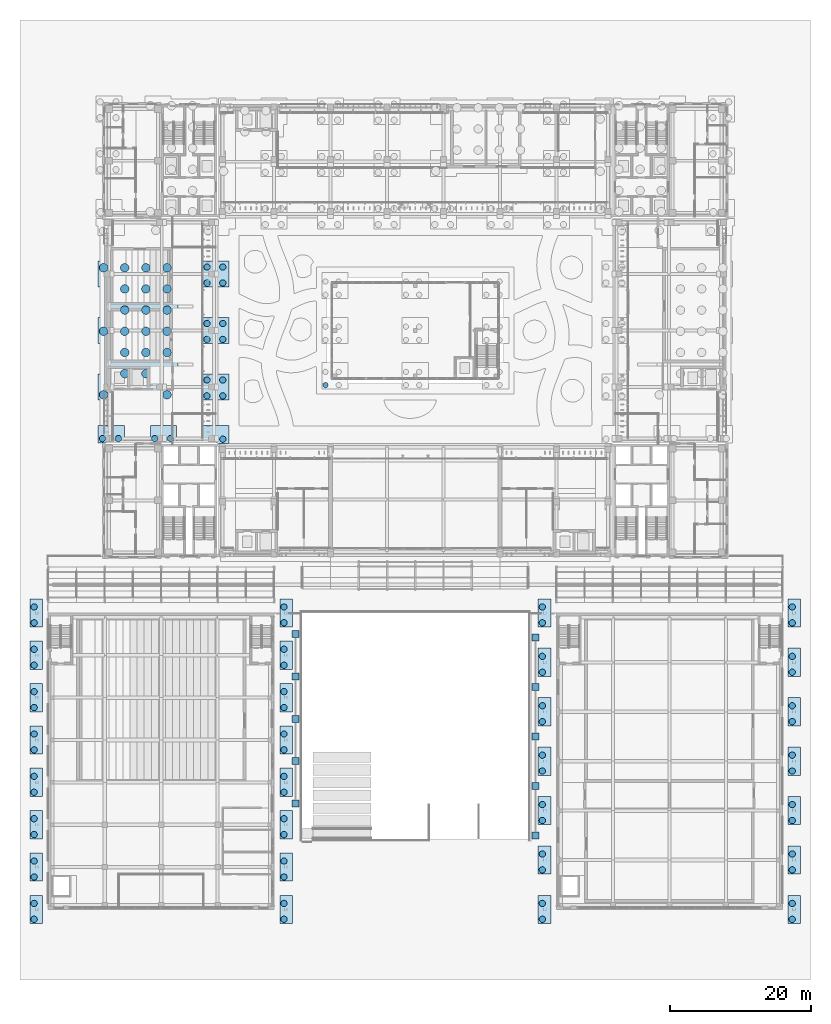
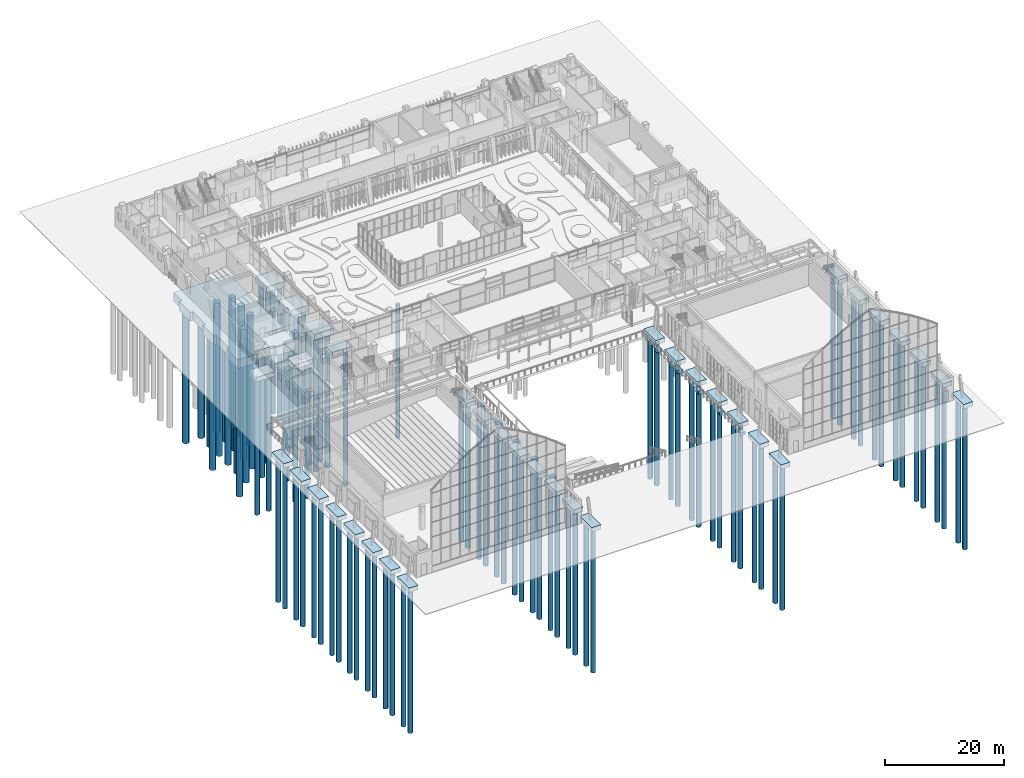
# One storey, part 1 of 144: 99 piles, 47 footings.
"""IFC4 building model written with IfcOpenShell, lengths in metres."""

import ifcopenshell
import ifcopenshell.guid

model = None  # the IFC model being written
_history = None  # IfcOwnerHistory: only IFC2X3 demands one
_inside = {}  # id of a spatial element -> (the spatial element, [elements in it])
_under = {}  # id of a project, library or spatial element -> (it, [spatial elements below it])
_declared = {}  # id of a project -> (the project, [libraries it declares])
_typed = {}  # id of a type object -> (the type object, [elements of that type])
_made_of = {}  # id of a material, layer set ... -> (it, [elements and type objects made of it])


def new_model(schema):
    """Start an empty IFC model of exactly this schema.

    Asked for "IFC4X3", IfcOpenShell would pick the latest addendum, in which some entities
    have other attributes; the version numbers below select the first issue.
    IFC2X3 requires an IfcOwnerHistory on every rooted entity: one is made here for all.
    """
    global model, _history
    if schema == "IFC4X3":
        model = ifcopenshell.file(schema_version=(4, 3, 0, 0))
    else:
        model = ifcopenshell.file(schema=schema)
    _inside.clear()
    _under.clear()
    _declared.clear()
    _typed.clear()
    _made_of.clear()
    _history = None
    if model.schema == "IFC2X3":
        org = make("IfcOrganization", Name="unknown")
        user = make(
            "IfcPersonAndOrganization",
            ThePerson=make("IfcPerson", FamilyName="unknown"),
            TheOrganization=org,
        )
        app = make(
            "IfcApplication",
            ApplicationDeveloper=org,
            Version="unknown",
            ApplicationFullName="unknown",
            ApplicationIdentifier="unknown",
        )
        _history = make(
            "IfcOwnerHistory",
            OwningUser=user,
            OwningApplication=app,
            ChangeAction="ADDED",
            CreationDate=0,
        )
    return model


def make(cls, **values):
    """One entity of the class cls with the attributes given. An attribute that is None is left unset."""
    return model.create_entity(
        cls, **{name: value for name, value in values.items() if value is not None}
    )


def rooted(cls, **values):
    """An entity with a GlobalId (a new one), such as an element, a storey or a relation."""
    return make(cls, GlobalId=ifcopenshell.guid.new(), OwnerHistory=_history, **values)


def si_unit(unit_type, name, prefix=None):
    """IfcSIUnit, for example si_unit("LENGTHUNIT", "METRE", prefix="MILLI")."""
    return make("IfcSIUnit", UnitType=unit_type, Prefix=prefix, Name=name)


def assignment(units):
    """IfcUnitAssignment: the units of a project."""
    return None if units is None else make("IfcUnitAssignment", Units=units)


def point(xyz):
    """IfcCartesianPoint."""
    return None if xyz is None else make("IfcCartesianPoint", Coordinates=xyz)


def direction(xyz):
    """IfcDirection."""
    return None if xyz is None else make("IfcDirection", DirectionRatios=xyz)


def frame(location, z_axis=None, x_axis=None):
    """IfcAxis2Placement3D, a coordinate frame: its origin and axes. An axis left out is left unset."""
    return make(
        "IfcAxis2Placement3D",
        Location=point(location),
        Axis=direction(z_axis),
        RefDirection=direction(x_axis),
    )


def frame_2d(location, x_axis=None):
    """IfcAxis2Placement2D, a coordinate frame in the plane: its origin and x axis."""
    return make(
        "IfcAxis2Placement2D", Location=point(location), RefDirection=direction(x_axis)
    )


def origin():
    """The frame at (0, 0, 0) with its axes left unset."""
    return frame((0.0, 0.0, 0.0))


def origin_2d():
    """The frame at (0, 0) in the plane with its x axis left unset."""
    return frame_2d((0.0, 0.0))


def place(relative_to, where):
    """IfcLocalPlacement: puts the frame where relative to a parent placement (None: the world)."""
    return make(
        "IfcLocalPlacement", PlacementRelTo=relative_to, RelativePlacement=where
    )


def context(
    kind, dimensions, precision=None, world=None, true_north=None, identifier=None
):
    """IfcGeometricRepresentationContext, for example the 3D "Model" context."""
    return make(
        "IfcGeometricRepresentationContext",
        ContextIdentifier=identifier,
        ContextType=kind,
        CoordinateSpaceDimension=dimensions,
        Precision=precision,
        WorldCoordinateSystem=world,
        TrueNorth=true_north,
    )


def subcontext(parent, identifier, kind, view, scale=None):
    """IfcGeometricRepresentationSubContext, for example "Body" below "Model"."""
    return make(
        "IfcGeometricRepresentationSubContext",
        ContextIdentifier=identifier,
        ContextType=kind,
        ParentContext=parent,
        TargetScale=scale,
        TargetView=view,
    )


def project(units=None, contexts=None):
    """IfcProject with its units and contexts."""
    return rooted(
        "IfcProject",
        Name="project",
        RepresentationContexts=contexts,
        UnitsInContext=assignment(units),
    )


def spatial(cls, under=None, at=None, **own):
    """A site, building, storey or space (cls), placed at a placement, below another one or the project."""
    s = rooted(cls, ObjectPlacement=at, **own)
    if under is not None:
        _under.setdefault(under.id(), (under, []))[1].append(s)
    return s


def polyline(points):
    """IfcPolyline through the points."""
    return make("IfcPolyline", Points=[point(p) for p in points])


def profile(cls, at=None, kind="AREA", **sizes):
    """A parametric profile (cls). Its sizes go by their IFC names, for example OverallWidth=200.0."""
    return make(cls, ProfileType=kind, Position=at, **sizes)


def rectangle(**sizes):
    """IfcRectangleProfileDef."""
    return profile("IfcRectangleProfileDef", **sizes)


def circle(**sizes):
    """IfcCircleProfileDef."""
    return profile("IfcCircleProfileDef", **sizes)


def outline(outer, holes=None, kind="AREA"):
    """IfcArbitraryClosedProfileDef: a profile drawn as a closed curve; with holes, ...WithVoids."""
    if holes is None:
        return make("IfcArbitraryClosedProfileDef", ProfileType=kind, OuterCurve=outer)
    return make(
        "IfcArbitraryProfileDefWithVoids",
        ProfileType=kind,
        OuterCurve=outer,
        InnerCurves=holes,
    )


def extrude(swept, where, along, depth):
    """IfcExtrudedAreaSolid: the profile swept, set in the frame where, extruded along a direction by depth."""
    return make(
        "IfcExtrudedAreaSolid",
        SweptArea=swept,
        Position=where,
        ExtrudedDirection=direction(along),
        Depth=depth,
    )


def shape(context_of_items, identifier, shape_type, items):
    """IfcShapeRepresentation: the items that make up one representation, for example the "Body"."""
    return make(
        "IfcShapeRepresentation",
        ContextOfItems=context_of_items,
        RepresentationIdentifier=identifier,
        RepresentationType=shape_type,
        Items=items,
    )


def material(Name=None, Category=None):
    """IfcMaterial."""
    return make("IfcMaterial", Name=Name, Category=Category)


def material_profile(
    of_material, cross_section, Name=None, Category=None, Priority=None
):
    """IfcMaterialProfile: a cross section and its material."""
    return make(
        "IfcMaterialProfile",
        Name=Name,
        Material=of_material,
        Profile=cross_section,
        Priority=Priority,
        Category=Category,
    )


def profile_set(profiles, Name=None, composite=None):
    """IfcMaterialProfileSet."""
    return make(
        "IfcMaterialProfileSet",
        Name=Name,
        MaterialProfiles=profiles,
        CompositeProfile=composite,
    )


def made_of(thing, what):
    """Note that an element or type object is made of a material, layer set ...; save() writes the relation."""
    if what is not None:
        _made_of.setdefault(what.id(), (what, []))[1].append(thing)
    return thing


def type_object(cls, material=None, **own):
    """A type object (cls), such as IfcWallType, which elements share."""
    return made_of(rooted(cls, **own), material)


def element(
    cls,
    number,
    at=None,
    inside=None,
    cuts=None,
    type_object=None,
    material=None,
    context=None,
    identifier="Body",
    shape_type=None,
    held_by="IfcProductDefinitionShape",
    body=None,
    shapes=None,
    **own,
):
    """One element of the class cls, such as IfcWall. Its Tag is "e" and its number.

    at: its placement. inside: the storey or other place that contains it. cuts: it is an
    opening in that element (IfcRelVoidsElement). A single representation is given by context,
    identifier, shape_type and body (its items); several are given by shapes. held_by: the class
    of the entity that holds the representations. save() writes the other relations.
    """
    e = rooted(cls, Tag="e%d" % number, ObjectPlacement=at, **own)
    if body is not None:
        shapes = [shape(context, identifier, shape_type, body)]
    if shapes is not None:
        e.Representation = make(held_by, Representations=shapes)
    if inside is not None:
        _inside.setdefault(inside.id(), (inside, []))[1].append(e)
    if cuts is not None:
        rooted(
            "IfcRelVoidsElement", RelatingBuildingElement=cuts, RelatedOpeningElement=e
        )
    if type_object is not None:
        _typed.setdefault(type_object.id(), (type_object, []))[1].append(e)
    return made_of(e, material)


def aggregate(whole, parts):
    """IfcRelAggregates: a whole, such as a stair, and the parts it consists of."""
    return rooted("IfcRelAggregates", RelatingObject=whole, RelatedObjects=parts)


def save(model, path):
    """Write the relations noted so far, then the file.

    IfcRelAggregates (storeys below a building ...), IfcRelContainedInSpatialStructure (elements
    in a storey), IfcRelDefinesByType, IfcRelAssociatesMaterial and IfcRelDeclares: one each for
    every whole, place, type object, material and project.
    """
    for whole, parts in _under.values():
        aggregate(whole, parts)
    for where, things in _inside.values():
        rooted(
            "IfcRelContainedInSpatialStructure",
            RelatedElements=things,
            RelatingStructure=where,
        )
    for kind, things in _typed.values():
        rooted("IfcRelDefinesByType", RelatedObjects=things, RelatingType=kind)
    for what, things in _made_of.values():
        rooted("IfcRelAssociatesMaterial", RelatedObjects=things, RelatingMaterial=what)
    for by, libraries in _declared.values():
        rooted("IfcRelDeclares", RelatingContext=by, RelatedDefinitions=libraries)
    model.write(path)


model = new_model("IFC4")

# Units and contexts
model_context = context("Model", 3, precision=1e-05, world=origin(), true_north=direction((0.0, 1.0)))
body_context = subcontext(model_context, "Body", "Model", "MODEL_VIEW")
ifc_project = project(units=[si_unit("LENGTHUNIT", "METRE"), si_unit("AREAUNIT", "SQUARE_METRE"), si_unit("VOLUMEUNIT", "CUBIC_METRE"), si_unit("PLANEANGLEUNIT", "RADIAN"), si_unit("MASSUNIT", "GRAM", prefix="KILO")], contexts=[model_context])

# Site, building, storey
site_placement = place(None, origin())
site = spatial("IfcSite", under=ifc_project, at=site_placement, CompositionType="ELEMENT")
building_placement = place(site_placement, origin())
building = spatial("IfcBuilding", under=site, at=building_placement, Name="Lantern Court Media Centre", CompositionType="ELEMENT")
storey_placement = place(building_placement, origin())
storey = spatial("IfcBuildingStorey", under=building, at=storey_placement, Name="L00", CompositionType="ELEMENT", Elevation=0.0)

# Piles
ifc_material = material(Name="Concrete C30", Category="concrete")
ifc_material_profile_1 = material_profile(ifc_material, circle(Radius=0.60009765625, at=origin_2d()), Name="D1200")
ifc_profile_set_1 = profile_set([ifc_material_profile_1], Name="Concrete C30")
pile_type_1 = type_object("IfcPileType", Name="BORED PILE D1200", PredefinedType="BORED", material=ifc_profile_set_1)
for number, where, z_axis, x_axis, name in (
    (1, (7.833251953125, 70.89990234375, -3.25), (0.0, 0.0, -1.0), (1.0, 0.0, 0.0), "PL-008-000"),
    (2, (7.833251953125, 79.89990234375, -3.25), (0.0, 0.0, -1.0), (1.0, 0.0, 0.0), "PL-008-001"),
    (3, (7.833251953125, 88.89990234375, -3.25), (0.0, 0.0, -1.0), (1.0, 0.0, 0.0), "PL-008-002"),
    (4, (10.833251953125, 73.89990234375, -3.25), (0.0, 0.0, -1.0), (1.0, 0.0, 0.0), "PL-008-003"),
    (5, (10.833251953125, 76.89990234375, -3.25), (0.0, 0.0, -1.0), (1.0, 0.0, 0.0), "PL-008-004"),
    (6, (10.833251953125, 79.89990234375, -3.25), (0.0, 0.0, -1.0), (1.0, 0.0, 0.0), "PL-008-005"),
    (7, (10.833251953125, 82.89990234375, -3.25), (0.0, 0.0, -1.0), (1.0, 0.0, 0.0), "PL-008-006"),
    (8, (10.833251953125, 85.89990234375, -3.25), (0.0, 0.0, -1.0), (1.0, 0.0, 0.0), "PL-008-007"),
    (9, (10.833251953125, 88.89990234375, -3.25), (0.0, 0.0, -1.0), (1.0, 0.0, 0.0), "PL-008-008"),
    (10, (13.833251953125, 73.89990234375, -3.25), (0.0, 0.0, -1.0), (1.0, 0.0, 0.0), "PL-008-009"),
    (11, (13.833251953125, 76.89990234375, -3.25), (0.0, 0.0, -1.0), (1.0, 0.0, 0.0), "PL-008-010"),
    (12, (13.833251953125, 79.89990234375, -3.25), (0.0, 0.0, -1.0), (1.0, 0.0, 0.0), "PL-008-011"),
    (13, (13.833251953125, 82.89990234375, -3.25), (0.0, 0.0, -1.0), (1.0, 0.0, 0.0), "PL-008-012"),
    (14, (13.833251953125, 85.89990234375, -3.25), (0.0, 0.0, -1.0), (1.0, 0.0, 0.0), "PL-008-013"),
    (15, (13.833251953125, 88.89990234375, -3.25), (0.0, 0.0, -1.0), (1.0, 0.0, 0.0), "PL-008-014"),
    (16, (16.833251953125, 70.89990234375, -3.25), (0.0, 0.0, -1.0), (1.0, 0.0, 0.0), "PL-008-015"),
    (17, (16.833251953125, 76.89990234375, -3.25), (0.0, 0.0, -1.0), (1.0, 0.0, 0.0), "PL-008-016"),
    (18, (16.833251953125, 79.89990234375, -3.25), (0.0, 0.0, -1.0), (1.0, 0.0, 0.0), "PL-008-017"),
    (19, (16.833251953125, 82.89990234375, -3.25), (0.0, 0.0, -1.0), (1.0, 0.0, 0.0), "PL-008-018"),
    (20, (16.833251953125, 85.89990234375, -3.25), (0.0, 0.0, -1.0), (1.0, 0.0, 0.0), "PL-008-019"),
    (21, (16.833251953125, 88.89990234375, -3.25), (0.0, 0.0, -1.0), (1.0, 0.0, 0.0), "PL-008-020"),
):
    element("IfcPile", number, at=place(storey_placement, frame(where, z_axis=z_axis, x_axis=x_axis)), inside=storey, type_object=pile_type_1, Name=name, PredefinedType="BORED", context=body_context, shape_type="SweptSolid", body=[
        extrude(circle(Radius=0.60009765625, at=origin_2d()), origin(), (0.0, 0.0, 1.0), 26.75),
    ])
ifc_material_profile_2 = material_profile(ifc_material, circle(Radius=0.375, at=origin_2d()), Name="D750")
ifc_profile_set_2 = profile_set([ifc_material_profile_2], Name="Concrete C30")
pile_type_2 = type_object("IfcPileType", Name="BORED PILE D750", PredefinedType="BORED", material=ifc_profile_set_2)
pile_1_placement = place(storey_placement, frame((39.27490234375, 72.27490234375, -2.64990234375), z_axis=(0.0, 0.0, -1.0), x_axis=(1.0, 0.0, 0.0)))
element("IfcPile", 22, at=pile_1_placement, inside=storey, type_object=pile_type_2, Name="PL-012-000", PredefinedType="BORED", context=body_context, shape_type="SweptSolid", body=[
    extrude(circle(Radius=0.375, at=origin_2d()), origin(), (0.0, 0.0, 1.0), 27.35009765625),
])
ifc_material_profile_3 = material_profile(ifc_material, circle(Radius=0.449951171875, at=origin_2d()), Name="D900")
ifc_profile_set_3 = profile_set([ifc_material_profile_3], Name="Concrete C30")
pile_type_3 = type_object("IfcPileType", Name="BORED PILE D900", PredefinedType="BORED", material=ifc_profile_set_3)
pile_2_placement = place(storey_placement, frame((24.7333984375, 64.6201171875, -2.25), z_axis=(0.0, 0.0, -1.0), x_axis=(1.0, 0.0, 0.0)))
element("IfcPile", 23, at=pile_2_placement, inside=storey, type_object=pile_type_3, Name="PL-002-000", PredefinedType="BORED", context=body_context, shape_type="SweptSolid", body=[
    extrude(circle(Radius=0.449951171875, at=origin_2d()), origin(), (0.0, 0.0, 1.0), 27.75),
])
for number, where, z_axis, x_axis, name in (
    (24, (7.683349609375, 64.699951171875, -2.35009765625), (0.0, 0.0, -1.0), (1.0, 0.0, 0.0), "PL-004-000"),
    (25, (9.933349609375, 64.699951171875, -2.35009765625), (0.0, 0.0, -1.0), (1.0, 0.0, 0.0), "PL-004-001"),
    (26, (15.083251953125, 64.699951171875, -2.35009765625), (0.0, 0.0, -1.0), (1.0, 0.0, 0.0), "PL-005-000"),
    (27, (17.333251953125, 64.699951171875, -2.35009765625), (0.0, 0.0, -1.0), (1.0, 0.0, 0.0), "PL-005-001"),
):
    element("IfcPile", number, at=place(storey_placement, frame(where, z_axis=z_axis, x_axis=x_axis)), inside=storey, type_object=pile_type_3, Name=name, PredefinedType="BORED", context=body_context, shape_type="SweptSolid", body=[
        extrude(circle(Radius=0.449951171875, at=origin_2d()), origin(), (0.0, 0.0, 1.0), 27.64990234375),
    ])
for number, where, z_axis, x_axis, name in (
    (28, (22.4833984375, 70.75, -2.64990234375), (0.0, 0.0, -1.0), (1.0, 0.0, 0.0), "PL-009-000"),
    (29, (22.4833984375, 73.0, -2.64990234375), (0.0, 0.0, -1.0), (1.0, 0.0, 0.0), "PL-009-001"),
    (30, (24.7333984375, 70.75, -2.64990234375), (0.0, 0.0, -1.0), (1.0, 0.0, 0.0), "PL-009-002"),
    (31, (24.7333984375, 73.0, -2.64990234375), (0.0, 0.0, -1.0), (1.0, 0.0, 0.0), "PL-009-003"),
    (32, (22.4833984375, 78.75, -2.64990234375), (0.0, 0.0, -1.0), (1.0, 0.0, 0.0), "PL-015-000"),
    (33, (22.4833984375, 81.0, -2.64990234375), (0.0, 0.0, -1.0), (1.0, 0.0, 0.0), "PL-015-001"),
    (34, (24.7333984375, 78.75, -2.64990234375), (0.0, 0.0, -1.0), (1.0, 0.0, 0.0), "PL-015-002"),
    (35, (24.7333984375, 81.0, -2.64990234375), (0.0, 0.0, -1.0), (1.0, 0.0, 0.0), "PL-015-003"),
    (36, (22.4833984375, 86.75, -2.64990234375), (0.0, 0.0, -1.0), (1.0, 0.0, 0.0), "PL-023-000"),
    (37, (22.4833984375, 89.0, -2.64990234375), (0.0, 0.0, -1.0), (1.0, 0.0, 0.0), "PL-023-001"),
    (38, (24.7333984375, 86.75, -2.64990234375), (0.0, 0.0, -1.0), (1.0, 0.0, 0.0), "PL-023-002"),
    (39, (24.7333984375, 89.0, -2.64990234375), (0.0, 0.0, -1.0), (1.0, 0.0, 0.0), "PL-023-003"),
):
    element("IfcPile", number, at=place(storey_placement, frame(where, z_axis=z_axis, x_axis=x_axis)), inside=storey, type_object=pile_type_3, Name=name, PredefinedType="BORED", context=body_context, shape_type="SweptSolid", body=[
        extrude(circle(Radius=0.449951171875, at=origin_2d()), origin(), (0.0, 0.0, 1.0), 27.35009765625),
    ])
for number, where, z_axis, x_axis, name in (
    (40, (-2.0, -3.39990234375, -0.75), (0.0, 0.0, -1.0), (1.0, 0.0, 0.0), "PLB-000-000"),
    (41, (-2.0, -1.14990234375, -0.75), (0.0, 0.0, -1.0), (1.0, 0.0, 0.0), "PLB-000-001"),
    (42, (33.39990234375, -3.39990234375, -0.75), (0.0, 0.0, -1.0), (1.0, 0.0, 0.0), "PLB-001-000"),
    (43, (33.39990234375, -1.14990234375, -0.75), (0.0, 0.0, -1.0), (1.0, 0.0, 0.0), "PLB-001-001"),
    (44, (-2.0, 2.60009765625, -0.75), (0.0, 0.0, -1.0), (1.0, 0.0, 0.0), "PLB-002-000"),
    (45, (-2.0, 4.85009765625, -0.75), (0.0, 0.0, -1.0), (1.0, 0.0, 0.0), "PLB-002-001"),
    (46, (33.39990234375, 2.60009765625, -0.75), (0.0, 0.0, -1.0), (1.0, 0.0, 0.0), "PLB-003-000"),
    (47, (33.39990234375, 4.85009765625, -0.75), (0.0, 0.0, -1.0), (1.0, 0.0, 0.0), "PLB-003-001"),
    (48, (-2.0, 8.60009765625, -0.75), (0.0, 0.0, -1.0), (1.0, 0.0, 0.0), "PLB-004-000"),
    (49, (-2.0, 10.85009765625, -0.75), (0.0, 0.0, -1.0), (1.0, 0.0, 0.0), "PLB-004-001"),
    (50, (33.39990234375, 8.60009765625, -0.75), (0.0, 0.0, -1.0), (1.0, 0.0, 0.0), "PLB-005-000"),
    (51, (33.39990234375, 10.85009765625, -0.75), (0.0, 0.0, -1.0), (1.0, 0.0, 0.0), "PLB-005-001"),
    (52, (-2.0, 14.60009765625, -0.75), (0.0, 0.0, -1.0), (1.0, 0.0, 0.0), "PLB-006-000"),
    (53, (-2.0, 16.85009765625, -0.75), (0.0, 0.0, -1.0), (1.0, 0.0, 0.0), "PLB-006-001"),
    (54, (33.39990234375, 14.60009765625, -0.75), (0.0, 0.0, -1.0), (1.0, 0.0, 0.0), "PLB-007-000"),
    (55, (33.39990234375, 16.85009765625, -0.75), (0.0, 0.0, -1.0), (1.0, 0.0, 0.0), "PLB-007-001"),
    (56, (-2.0, 20.60009765625, -0.75), (0.0, 0.0, -1.0), (1.0, 0.0, 0.0), "PLB-008-000"),
    (57, (-2.0, 22.85009765625, -0.75), (0.0, 0.0, -1.0), (1.0, 0.0, 0.0), "PLB-008-001"),
    (58, (33.39990234375, 20.60009765625, -0.75), (0.0, 0.0, -1.0), (1.0, 0.0, 0.0), "PLB-009-000"),
    (59, (33.39990234375, 22.85009765625, -0.75), (0.0, 0.0, -1.0), (1.0, 0.0, 0.0), "PLB-009-001"),
    (60, (-2.0, 26.60009765625, -0.75), (0.0, 0.0, -1.0), (1.0, 0.0, 0.0), "PLB-010-000"),
    (61, (-2.0, 28.85009765625, -0.75), (0.0, 0.0, -1.0), (1.0, 0.0, 0.0), "PLB-010-001"),
    (62, (33.39990234375, 26.60009765625, -0.75), (0.0, 0.0, -1.0), (1.0, 0.0, 0.0), "PLB-011-000"),
    (63, (33.39990234375, 28.85009765625, -0.75), (0.0, 0.0, -1.0), (1.0, 0.0, 0.0), "PLB-011-001"),
    (64, (-2.0, 32.60009765625, -0.75), (0.0, 0.0, -1.0), (1.0, 0.0, 0.0), "PLB-012-000"),
    (65, (-2.0, 34.85009765625, -0.75), (0.0, 0.0, -1.0), (1.0, 0.0, 0.0), "PLB-012-001"),
    (66, (33.39990234375, 32.60009765625, -0.75), (0.0, 0.0, -1.0), (1.0, 0.0, 0.0), "PLB-013-000"),
    (67, (33.39990234375, 34.85009765625, -0.75), (0.0, 0.0, -1.0), (1.0, 0.0, 0.0), "PLB-013-001"),
    (68, (-2.0, 38.60009765625, -0.75), (0.0, 0.0, -1.0), (1.0, 0.0, 0.0), "PLB-014-000"),
    (69, (-2.0, 40.85009765625, -0.75), (0.0, 0.0, -1.0), (1.0, 0.0, 0.0), "PLB-014-001"),
    (70, (33.39990234375, 38.60009765625, -0.75), (0.0, 0.0, -1.0), (1.0, 0.0, 0.0), "PLB-015-000"),
    (71, (33.39990234375, 40.85009765625, -0.75), (0.0, 0.0, -1.0), (1.0, 0.0, 0.0), "PLB-015-001"),
    (72, (70.0, -3.39990234375, -0.75), (0.0, 0.0, -1.0), (1.0, 0.0, 0.0), "PLB-016-000"),
    (73, (70.0, -1.14990234375, -0.75), (0.0, 0.0, -1.0), (1.0, 0.0, 0.0), "PLB-016-001"),
    (74, (105.39990234375, -3.39990234375, -0.75), (0.0, 0.0, -1.0), (1.0, 0.0, 0.0), "PLB-017-000"),
    (75, (105.39990234375, -1.14990234375, -0.75), (0.0, 0.0, -1.0), (1.0, 0.0, 0.0), "PLB-017-001"),
    (76, (70.0, 3.60009765625, -0.75), (0.0, 0.0, -1.0), (1.0, 0.0, 0.0), "PLB-018-000"),
    (77, (70.0, 5.85009765625, -0.75), (0.0, 0.0, -1.0), (1.0, 0.0, 0.0), "PLB-018-001"),
    (78, (105.39990234375, 3.60009765625, -0.75), (0.0, 0.0, -1.0), (1.0, 0.0, 0.0), "PLB-019-000"),
    (79, (105.39990234375, 5.85009765625, -0.75), (0.0, 0.0, -1.0), (1.0, 0.0, 0.0), "PLB-019-001"),
    (80, (70.0, 10.60009765625, -0.75), (0.0, 0.0, -1.0), (1.0, 0.0, 0.0), "PLB-020-000"),
    (81, (70.0, 12.85009765625, -0.75), (0.0, 0.0, -1.0), (1.0, 0.0, 0.0), "PLB-020-001"),
    (82, (105.39990234375, 10.60009765625, -0.75), (0.0, 0.0, -1.0), (1.0, 0.0, 0.0), "PLB-021-000"),
    (83, (105.39990234375, 12.85009765625, -0.75), (0.0, 0.0, -1.0), (1.0, 0.0, 0.0), "PLB-021-001"),
    (84, (70.0, 17.60009765625, -0.75), (0.0, 0.0, -1.0), (1.0, 0.0, 0.0), "PLB-022-000"),
    (85, (70.0, 19.85009765625, -0.75), (0.0, 0.0, -1.0), (1.0, 0.0, 0.0), "PLB-022-001"),
    (86, (105.39990234375, 17.60009765625, -0.75), (0.0, 0.0, -1.0), (1.0, 0.0, 0.0), "PLB-023-000"),
    (87, (105.39990234375, 19.85009765625, -0.75), (0.0, 0.0, -1.0), (1.0, 0.0, 0.0), "PLB-023-001"),
    (88, (70.0, 24.60009765625, -0.75), (0.0, 0.0, -1.0), (1.0, 0.0, 0.0), "PLB-024-000"),
    (89, (70.0, 26.85009765625, -0.75), (0.0, 0.0, -1.0), (1.0, 0.0, 0.0), "PLB-024-001"),
    (90, (105.39990234375, 24.60009765625, -0.75), (0.0, 0.0, -1.0), (1.0, 0.0, 0.0), "PLB-025-000"),
    (91, (105.39990234375, 26.85009765625, -0.75), (0.0, 0.0, -1.0), (1.0, 0.0, 0.0), "PLB-025-001"),
    (92, (70.0, 31.60009765625, -0.75), (0.0, 0.0, -1.0), (1.0, 0.0, 0.0), "PLB-026-000"),
    (93, (70.0, 33.85009765625, -0.75), (0.0, 0.0, -1.0), (1.0, 0.0, 0.0), "PLB-026-001"),
    (94, (105.39990234375, 31.60009765625, -0.75), (0.0, 0.0, -1.0), (1.0, 0.0, 0.0), "PLB-027-000"),
    (95, (105.39990234375, 33.85009765625, -0.75), (0.0, 0.0, -1.0), (1.0, 0.0, 0.0), "PLB-027-001"),
    (96, (70.0, 38.60009765625, -0.75), (0.0, 0.0, -1.0), (1.0, 0.0, 0.0), "PLB-028-000"),
    (97, (70.0, 40.85009765625, -0.75), (0.0, 0.0, -1.0), (1.0, 0.0, 0.0), "PLB-028-001"),
    (98, (105.39990234375, 38.60009765625, -0.75), (0.0, 0.0, -1.0), (1.0, 0.0, 0.0), "PLB-029-000"),
    (99, (105.39990234375, 40.85009765625, -0.75), (0.0, 0.0, -1.0), (1.0, 0.0, 0.0), "PLB-029-001"),
):
    element("IfcPile", number, at=place(storey_placement, frame(where, z_axis=z_axis, x_axis=x_axis)), inside=storey, type_object=pile_type_3, Name=name, PredefinedType="BORED", context=body_context, shape_type="SweptSolid", body=[
        extrude(circle(Radius=0.449951171875, at=origin_2d()), origin(), (0.0, 0.0, 1.0), 29.25),
    ])

# Footings
footing_type_1 = type_object("IfcFootingType", Name="Colonnade post pad footing 1000x1000x600", PredefinedType="PAD_FOOTING", material=ifc_material)
for number, where, z_axis, x_axis, name in (
    (100, (35.0, 13.0, -1.02001953125), (0.0, 0.0, 1.0), (1.0, 0.0, 0.0), "Colonnade post pad 31"),
    (101, (35.0, 19.0, -1.02001953125), (0.0, 0.0, 1.0), (1.0, 0.0, 0.0), "Colonnade post pad 32"),
    (102, (35.0, 25.0, -1.02001953125), (0.0, 0.0, 1.0), (1.0, 0.0, 0.0), "Colonnade post pad 33"),
    (103, (35.0, 31.0, -1.02001953125), (0.0, 0.0, 1.0), (1.0, 0.0, 0.0), "Colonnade post pad 34"),
    (104, (35.0, 37.0, -1.02001953125), (0.0, 0.0, 1.0), (1.0, 0.0, 0.0), "Colonnade post pad 35"),
    (105, (69.0, 8.5, -1.02001953125), (0.0, 0.0, 1.0), (1.0, 0.0, 0.0), "Colonnade post pad 36"),
    (106, (69.0, 15.5, -1.02001953125), (0.0, 0.0, 1.0), (1.0, 0.0, 0.0), "Colonnade post pad 37"),
    (107, (69.0, 22.5, -1.02001953125), (0.0, 0.0, 1.0), (1.0, 0.0, 0.0), "Colonnade post pad 38"),
    (108, (69.0, 29.5, -1.02001953125), (0.0, 0.0, 1.0), (1.0, 0.0, 0.0), "Colonnade post pad 39"),
    (109, (69.0, 36.5, -1.02001953125), (0.0, 0.0, 1.0), (1.0, 0.0, 0.0), "Colonnade post pad 40"),
):
    element("IfcFooting", number, at=place(storey_placement, frame(where, z_axis=z_axis, x_axis=x_axis)), inside=storey, type_object=footing_type_1, Name=name, PredefinedType="PAD_FOOTING", context=body_context, shape_type="SweptSolid", body=[
        extrude(rectangle(XDim=1.0, YDim=1.0, at=origin_2d()), origin(), (0.0, 0.0, 1.0), 0.60009765625),
    ])
footing_type_2 = type_object("IfcFootingType", Name="PILE CAP 1200", PredefinedType="PILE_CAP", material=ifc_material)
footing_1_placement = place(storey_placement, frame((0.0, 0.0, -2.800048828125)))
element("IfcFooting", 110, at=footing_1_placement, inside=storey, type_object=footing_type_2, Name="PC-009", PredefinedType="PILE_CAP", context=body_context, shape_type="SweptSolid", body=[
    extrude(outline(polyline([(25.583251953125, 70.14990234375), (21.88330078125, 70.14990234375), (21.88330078125, 73.85009765625), (25.583251953125, 73.85009765625), (25.583251953125, 70.14990234375)])), origin(), (0.0, 0.0, 1.0), 1.199951171875),
])
footing_2_placement = place(storey_placement, frame((0.0, 0.0, -2.800048828125)))
element("IfcFooting", 111, at=footing_2_placement, inside=storey, type_object=footing_type_2, Name="PC-015", PredefinedType="PILE_CAP", context=body_context, shape_type="SweptSolid", body=[
    extrude(outline(polyline([(25.583251953125, 78.14990234375), (21.88330078125, 78.14990234375), (21.88330078125, 81.85009765625), (25.583251953125, 81.85009765625), (25.583251953125, 78.14990234375)])), origin(), (0.0, 0.0, 1.0), 1.199951171875),
])
footing_3_placement = place(storey_placement, frame((0.0, 0.0, -2.800048828125)))
element("IfcFooting", 112, at=footing_3_placement, inside=storey, type_object=footing_type_2, Name="PC-023", PredefinedType="PILE_CAP", context=body_context, shape_type="SweptSolid", body=[
    extrude(outline(polyline([(25.583251953125, 86.14990234375), (21.88330078125, 86.14990234375), (21.88330078125, 89.85009765625), (25.583251953125, 89.85009765625), (25.583251953125, 86.14990234375)])), origin(), (0.0, 0.0, 1.0), 1.199951171875),
])
footing_type_3 = type_object("IfcFootingType", Name="PILE CAP 1800", PredefinedType="PILE_CAP", material=ifc_material)
footing_4_placement = place(storey_placement, frame((0.0, 0.0, -3.39990234375)))
element("IfcFooting", 113, at=footing_4_placement, inside=storey, type_object=footing_type_3, Name="PC-008", PredefinedType="PILE_CAP", context=body_context, shape_type="SweptSolid", body=[
    extrude(outline(polyline([(7.60009765625, 74.60009765625), (7.60009765625, 75.800048828125), (7.60009765625, 78.14990234375), (7.083251953125, 78.14990234375), (7.083251953125, 81.85009765625), (7.60009765625, 81.85009765625), (7.60009765625, 82.800048828125), (7.60009765625, 84.0), (7.60009765625, 86.14990234375), (7.083251953125, 86.14990234375), (7.083251953125, 89.85009765625), (7.60009765625, 89.85009765625), (7.60009765625, 92.60009765625), (18.39990234375, 92.60009765625), (18.39990234375, 84.0), (18.39990234375, 82.800048828125), (18.39990234375, 74.60009765625), (15.199951171875, 74.60009765625), (15.199951171875, 73.85009765625), (18.183349609375, 73.85009765625), (18.183349609375, 70.14990234375), (14.4833984375, 70.14990234375), (14.4833984375, 70.800048828125), (10.783447265625, 70.800048828125), (10.783447265625, 70.14990234375), (7.083251953125, 70.14990234375), (7.083251953125, 73.85009765625), (7.60009765625, 73.85009765625), (7.60009765625, 74.60009765625)])), origin(), (0.0, 0.0, 1.0), 1.7998046875),
])
footing_type_4 = type_object("IfcFootingType", Name="PILE CAP 800", PredefinedType="PILE_CAP", material=ifc_material)
footing_5_placement = place(storey_placement, frame((0.0, 0.0, -2.39990234375)))
element("IfcFooting", 114, at=footing_5_placement, inside=storey, type_object=footing_type_4, Name="PC-002", PredefinedType="PILE_CAP", context=body_context, shape_type="SweptSolid", body=[
    extrude(outline(polyline([(25.583251953125, 64.02001953125), (24.0, 64.02001953125), (24.0, 64.10009765625), (21.88330078125, 64.10009765625), (21.88330078125, 66.550048828125), (25.583251953125, 66.550048828125), (25.583251953125, 64.02001953125)])), origin(), (0.0, 0.0, 1.0), 0.7998046875),
])
footing_type_5 = type_object("IfcFootingType", Name="PILE CAP 900", PredefinedType="PILE_CAP", material=ifc_material)
footing_6_placement = place(storey_placement, frame((0.0, 0.0, -2.5)))
element("IfcFooting", 115, at=footing_6_placement, inside=storey, type_object=footing_type_5, Name="PC-004", PredefinedType="PILE_CAP", context=body_context, shape_type="SweptSolid", body=[
    extrude(outline(polyline([(10.783447265625, 64.10009765625), (7.083251953125, 64.10009765625), (7.083251953125, 66.550048828125), (10.783447265625, 66.550048828125), (10.783447265625, 64.10009765625)])), origin(), (0.0, 0.0, 1.0), 0.89990234375),
])
footing_7_placement = place(storey_placement, frame((0.0, 0.0, -2.5)))
element("IfcFooting", 116, at=footing_7_placement, inside=storey, type_object=footing_type_5, Name="PC-005", PredefinedType="PILE_CAP", context=body_context, shape_type="SweptSolid", body=[
    extrude(outline(polyline([(18.183349609375, 64.10009765625), (14.4833984375, 64.10009765625), (14.4833984375, 66.550048828125), (18.183349609375, 66.550048828125), (18.183349609375, 64.10009765625)])), origin(), (0.0, 0.0, 1.0), 0.89990234375),
])
footing_8_placement = place(storey_placement, frame((0.0, 0.0, -0.89990234375)))
element("IfcFooting", 117, at=footing_8_placement, inside=storey, type_object=footing_type_5, Name="PCB-000", PredefinedType="PILE_CAP", context=body_context, shape_type="SweptSolid", body=[
    extrude(outline(polyline([(-0.800048828125, -4.0), (-0.800048828125, 0.0), (-2.60009765625, 0.0), (-2.60009765625, -4.0), (-0.800048828125, -4.0)])), origin(), (0.0, 0.0, 1.0), 0.89990234375),
])
footing_9_placement = place(storey_placement, frame((0.0, 0.0, -0.89990234375)))
element("IfcFooting", 118, at=footing_9_placement, inside=storey, type_object=footing_type_5, Name="PCB-001", PredefinedType="PILE_CAP", context=body_context, shape_type="SweptSolid", body=[
    extrude(outline(polyline([(34.60009765625, -4.0), (34.60009765625, 0.0), (32.800048828125, 0.0), (32.800048828125, -4.0), (34.60009765625, -4.0)])), origin(), (0.0, 0.0, 1.0), 0.89990234375),
])
footing_10_placement = place(storey_placement, frame((0.0, 0.0, -0.89990234375)))
element("IfcFooting", 119, at=footing_10_placement, inside=storey, type_object=footing_type_5, Name="PCB-002", PredefinedType="PILE_CAP", context=body_context, shape_type="SweptSolid", body=[
    extrude(outline(polyline([(-0.800048828125, 2.0), (-0.800048828125, 6.0), (-2.60009765625, 6.0), (-2.60009765625, 2.0), (-0.800048828125, 2.0)])), origin(), (0.0, 0.0, 1.0), 0.89990234375),
])
footing_11_placement = place(storey_placement, frame((0.0, 0.0, -0.89990234375)))
element("IfcFooting", 120, at=footing_11_placement, inside=storey, type_object=footing_type_5, Name="PCB-003", PredefinedType="PILE_CAP", context=body_context, shape_type="SweptSolid", body=[
    extrude(outline(polyline([(34.60009765625, 2.0), (34.60009765625, 6.0), (32.800048828125, 6.0), (32.800048828125, 2.0), (34.60009765625, 2.0)])), origin(), (0.0, 0.0, 1.0), 0.89990234375),
])
footing_12_placement = place(storey_placement, frame((0.0, 0.0, -0.89990234375)))
element("IfcFooting", 121, at=footing_12_placement, inside=storey, type_object=footing_type_5, Name="PCB-004", PredefinedType="PILE_CAP", context=body_context, shape_type="SweptSolid", body=[
    extrude(outline(polyline([(-0.800048828125, 8.0), (-0.800048828125, 12.0), (-2.60009765625, 12.0), (-2.60009765625, 8.0), (-0.800048828125, 8.0)])), origin(), (0.0, 0.0, 1.0), 0.89990234375),
])
footing_13_placement = place(storey_placement, frame((0.0, 0.0, -0.89990234375)))
element("IfcFooting", 122, at=footing_13_placement, inside=storey, type_object=footing_type_5, Name="PCB-005", PredefinedType="PILE_CAP", context=body_context, shape_type="SweptSolid", body=[
    extrude(outline(polyline([(34.60009765625, 8.0), (34.60009765625, 12.0), (32.800048828125, 12.0), (32.800048828125, 8.0), (34.60009765625, 8.0)])), origin(), (0.0, 0.0, 1.0), 0.89990234375),
])
footing_14_placement = place(storey_placement, frame((0.0, 0.0, -0.89990234375)))
element("IfcFooting", 123, at=footing_14_placement, inside=storey, type_object=footing_type_5, Name="PCB-006", PredefinedType="PILE_CAP", context=body_context, shape_type="SweptSolid", body=[
    extrude(outline(polyline([(-0.800048828125, 14.0), (-0.800048828125, 18.0), (-2.60009765625, 18.0), (-2.60009765625, 14.0), (-0.800048828125, 14.0)])), origin(), (0.0, 0.0, 1.0), 0.89990234375),
])
footing_15_placement = place(storey_placement, frame((0.0, 0.0, -0.89990234375)))
element("IfcFooting", 124, at=footing_15_placement, inside=storey, type_object=footing_type_5, Name="PCB-007", PredefinedType="PILE_CAP", context=body_context, shape_type="SweptSolid", body=[
    extrude(outline(polyline([(34.60009765625, 14.0), (34.60009765625, 18.0), (32.800048828125, 18.0), (32.800048828125, 14.0), (34.60009765625, 14.0)])), origin(), (0.0, 0.0, 1.0), 0.89990234375),
])
footing_16_placement = place(storey_placement, frame((0.0, 0.0, -0.89990234375)))
element("IfcFooting", 125, at=footing_16_placement, inside=storey, type_object=footing_type_5, Name="PCB-008", PredefinedType="PILE_CAP", context=body_context, shape_type="SweptSolid", body=[
    extrude(outline(polyline([(-0.800048828125, 20.0), (-0.800048828125, 24.0), (-2.60009765625, 24.0), (-2.60009765625, 20.0), (-0.800048828125, 20.0)])), origin(), (0.0, 0.0, 1.0), 0.89990234375),
])
footing_17_placement = place(storey_placement, frame((0.0, 0.0, -0.89990234375)))
element("IfcFooting", 126, at=footing_17_placement, inside=storey, type_object=footing_type_5, Name="PCB-009", PredefinedType="PILE_CAP", context=body_context, shape_type="SweptSolid", body=[
    extrude(outline(polyline([(34.60009765625, 20.0), (34.60009765625, 24.0), (32.800048828125, 24.0), (32.800048828125, 20.0), (34.60009765625, 20.0)])), origin(), (0.0, 0.0, 1.0), 0.89990234375),
])
footing_18_placement = place(storey_placement, frame((0.0, 0.0, -0.89990234375)))
element("IfcFooting", 127, at=footing_18_placement, inside=storey, type_object=footing_type_5, Name="PCB-010", PredefinedType="PILE_CAP", context=body_context, shape_type="SweptSolid", body=[
    extrude(outline(polyline([(-0.800048828125, 26.0), (-0.800048828125, 30.0), (-2.60009765625, 30.0), (-2.60009765625, 26.0), (-0.800048828125, 26.0)])), origin(), (0.0, 0.0, 1.0), 0.89990234375),
])
footing_19_placement = place(storey_placement, frame((0.0, 0.0, -0.89990234375)))
element("IfcFooting", 128, at=footing_19_placement, inside=storey, type_object=footing_type_5, Name="PCB-011", PredefinedType="PILE_CAP", context=body_context, shape_type="SweptSolid", body=[
    extrude(outline(polyline([(34.60009765625, 26.0), (34.60009765625, 30.0), (32.800048828125, 30.0), (32.800048828125, 26.0), (34.60009765625, 26.0)])), origin(), (0.0, 0.0, 1.0), 0.89990234375),
])
footing_20_placement = place(storey_placement, frame((0.0, 0.0, -0.89990234375)))
element("IfcFooting", 129, at=footing_20_placement, inside=storey, type_object=footing_type_5, Name="PCB-012", PredefinedType="PILE_CAP", context=body_context, shape_type="SweptSolid", body=[
    extrude(outline(polyline([(-0.800048828125, 32.0), (-0.800048828125, 36.0), (-2.60009765625, 36.0), (-2.60009765625, 32.0), (-0.800048828125, 32.0)])), origin(), (0.0, 0.0, 1.0), 0.89990234375),
])
footing_21_placement = place(storey_placement, frame((0.0, 0.0, -0.89990234375)))
element("IfcFooting", 130, at=footing_21_placement, inside=storey, type_object=footing_type_5, Name="PCB-013", PredefinedType="PILE_CAP", context=body_context, shape_type="SweptSolid", body=[
    extrude(outline(polyline([(34.60009765625, 32.0), (34.60009765625, 36.0), (32.800048828125, 36.0), (32.800048828125, 32.0), (34.60009765625, 32.0)])), origin(), (0.0, 0.0, 1.0), 0.89990234375),
])
footing_22_placement = place(storey_placement, frame((0.0, 0.0, -0.89990234375)))
element("IfcFooting", 131, at=footing_22_placement, inside=storey, type_object=footing_type_5, Name="PCB-014", PredefinedType="PILE_CAP", context=body_context, shape_type="SweptSolid", body=[
    extrude(outline(polyline([(-0.800048828125, 38.0), (-0.800048828125, 42.0), (-2.60009765625, 42.0), (-2.60009765625, 38.0), (-0.800048828125, 38.0)])), origin(), (0.0, 0.0, 1.0), 0.89990234375),
])
footing_23_placement = place(storey_placement, frame((0.0, 0.0, -0.89990234375)))
element("IfcFooting", 132, at=footing_23_placement, inside=storey, type_object=footing_type_5, Name="PCB-015", PredefinedType="PILE_CAP", context=body_context, shape_type="SweptSolid", body=[
    extrude(outline(polyline([(34.60009765625, 38.0), (34.60009765625, 42.0), (32.800048828125, 42.0), (32.800048828125, 38.0), (34.60009765625, 38.0)])), origin(), (0.0, 0.0, 1.0), 0.89990234375),
])
footing_24_placement = place(storey_placement, frame((0.0, 0.0, -0.89990234375)))
element("IfcFooting", 133, at=footing_24_placement, inside=storey, type_object=footing_type_5, Name="PCB-016", PredefinedType="PILE_CAP", context=body_context, shape_type="SweptSolid", body=[
    extrude(outline(polyline([(71.199951171875, -4.0), (71.199951171875, 0.0), (69.39990234375, 0.0), (69.39990234375, -4.0), (71.199951171875, -4.0)])), origin(), (0.0, 0.0, 1.0), 0.89990234375),
])
footing_25_placement = place(storey_placement, frame((0.0, 0.0, -0.89990234375)))
element("IfcFooting", 134, at=footing_25_placement, inside=storey, type_object=footing_type_5, Name="PCB-017", PredefinedType="PILE_CAP", context=body_context, shape_type="SweptSolid", body=[
    extrude(outline(polyline([(106.60009765625, -4.0), (106.60009765625, 0.0), (104.800048828125, 0.0), (104.800048828125, -4.0), (106.60009765625, -4.0)])), origin(), (0.0, 0.0, 1.0), 0.89990234375),
])
footing_26_placement = place(storey_placement, frame((0.0, 0.0, -0.89990234375)))
element("IfcFooting", 135, at=footing_26_placement, inside=storey, type_object=footing_type_5, Name="PCB-018", PredefinedType="PILE_CAP", context=body_context, shape_type="SweptSolid", body=[
    extrude(outline(polyline([(71.199951171875, 3.0), (71.199951171875, 7.0), (69.39990234375, 7.0), (69.39990234375, 3.0), (71.199951171875, 3.0)])), origin(), (0.0, 0.0, 1.0), 0.89990234375),
])
footing_27_placement = place(storey_placement, frame((0.0, 0.0, -0.89990234375)))
element("IfcFooting", 136, at=footing_27_placement, inside=storey, type_object=footing_type_5, Name="PCB-019", PredefinedType="PILE_CAP", context=body_context, shape_type="SweptSolid", body=[
    extrude(outline(polyline([(106.60009765625, 3.0), (106.60009765625, 7.0), (104.800048828125, 7.0), (104.800048828125, 3.0), (106.60009765625, 3.0)])), origin(), (0.0, 0.0, 1.0), 0.89990234375),
])
footing_28_placement = place(storey_placement, frame((0.0, 0.0, -0.89990234375)))
element("IfcFooting", 137, at=footing_28_placement, inside=storey, type_object=footing_type_5, Name="PCB-020", PredefinedType="PILE_CAP", context=body_context, shape_type="SweptSolid", body=[
    extrude(outline(polyline([(71.199951171875, 10.0), (71.199951171875, 14.0), (69.39990234375, 14.0), (69.39990234375, 10.0), (71.199951171875, 10.0)])), origin(), (0.0, 0.0, 1.0), 0.89990234375),
])
footing_29_placement = place(storey_placement, frame((0.0, 0.0, -0.89990234375)))
element("IfcFooting", 138, at=footing_29_placement, inside=storey, type_object=footing_type_5, Name="PCB-021", PredefinedType="PILE_CAP", context=body_context, shape_type="SweptSolid", body=[
    extrude(outline(polyline([(106.60009765625, 10.0), (106.60009765625, 14.0), (104.800048828125, 14.0), (104.800048828125, 10.0), (106.60009765625, 10.0)])), origin(), (0.0, 0.0, 1.0), 0.89990234375),
])
footing_30_placement = place(storey_placement, frame((0.0, 0.0, -0.89990234375)))
element("IfcFooting", 139, at=footing_30_placement, inside=storey, type_object=footing_type_5, Name="PCB-022", PredefinedType="PILE_CAP", context=body_context, shape_type="SweptSolid", body=[
    extrude(outline(polyline([(71.199951171875, 17.0), (71.199951171875, 21.0), (69.39990234375, 21.0), (69.39990234375, 17.0), (71.199951171875, 17.0)])), origin(), (0.0, 0.0, 1.0), 0.89990234375),
])
footing_31_placement = place(storey_placement, frame((0.0, 0.0, -0.89990234375)))
element("IfcFooting", 140, at=footing_31_placement, inside=storey, type_object=footing_type_5, Name="PCB-023", PredefinedType="PILE_CAP", context=body_context, shape_type="SweptSolid", body=[
    extrude(outline(polyline([(106.60009765625, 17.0), (106.60009765625, 21.0), (104.800048828125, 21.0), (104.800048828125, 17.0), (106.60009765625, 17.0)])), origin(), (0.0, 0.0, 1.0), 0.89990234375),
])
footing_32_placement = place(storey_placement, frame((0.0, 0.0, -0.89990234375)))
element("IfcFooting", 141, at=footing_32_placement, inside=storey, type_object=footing_type_5, Name="PCB-024", PredefinedType="PILE_CAP", context=body_context, shape_type="SweptSolid", body=[
    extrude(outline(polyline([(71.199951171875, 24.0), (71.199951171875, 28.0), (69.39990234375, 28.0), (69.39990234375, 24.0), (71.199951171875, 24.0)])), origin(), (0.0, 0.0, 1.0), 0.89990234375),
])
footing_33_placement = place(storey_placement, frame((0.0, 0.0, -0.89990234375)))
element("IfcFooting", 142, at=footing_33_placement, inside=storey, type_object=footing_type_5, Name="PCB-025", PredefinedType="PILE_CAP", context=body_context, shape_type="SweptSolid", body=[
    extrude(outline(polyline([(106.60009765625, 24.0), (106.60009765625, 28.0), (104.800048828125, 28.0), (104.800048828125, 24.0), (106.60009765625, 24.0)])), origin(), (0.0, 0.0, 1.0), 0.89990234375),
])
footing_34_placement = place(storey_placement, frame((0.0, 0.0, -0.89990234375)))
element("IfcFooting", 143, at=footing_34_placement, inside=storey, type_object=footing_type_5, Name="PCB-026", PredefinedType="PILE_CAP", context=body_context, shape_type="SweptSolid", body=[
    extrude(outline(polyline([(71.199951171875, 31.0), (71.199951171875, 35.0), (69.39990234375, 35.0), (69.39990234375, 31.0), (71.199951171875, 31.0)])), origin(), (0.0, 0.0, 1.0), 0.89990234375),
])
footing_35_placement = place(storey_placement, frame((0.0, 0.0, -0.89990234375)))
element("IfcFooting", 144, at=footing_35_placement, inside=storey, type_object=footing_type_5, Name="PCB-027", PredefinedType="PILE_CAP", context=body_context, shape_type="SweptSolid", body=[
    extrude(outline(polyline([(106.60009765625, 31.0), (106.60009765625, 35.0), (104.800048828125, 35.0), (104.800048828125, 31.0), (106.60009765625, 31.0)])), origin(), (0.0, 0.0, 1.0), 0.89990234375),
])
footing_36_placement = place(storey_placement, frame((0.0, 0.0, -0.89990234375)))
element("IfcFooting", 145, at=footing_36_placement, inside=storey, type_object=footing_type_5, Name="PCB-028", PredefinedType="PILE_CAP", context=body_context, shape_type="SweptSolid", body=[
    extrude(outline(polyline([(71.199951171875, 38.0), (71.199951171875, 42.0), (69.39990234375, 42.0), (69.39990234375, 38.0), (71.199951171875, 38.0)])), origin(), (0.0, 0.0, 1.0), 0.89990234375),
])
footing_37_placement = place(storey_placement, frame((0.0, 0.0, -0.89990234375)))
element("IfcFooting", 146, at=footing_37_placement, inside=storey, type_object=footing_type_5, Name="PCB-029", PredefinedType="PILE_CAP", context=body_context, shape_type="SweptSolid", body=[
    extrude(outline(polyline([(106.60009765625, 38.0), (106.60009765625, 42.0), (104.800048828125, 42.0), (104.800048828125, 38.0), (106.60009765625, 38.0)])), origin(), (0.0, 0.0, 1.0), 0.89990234375),
])

save(model, "model.ifc")
